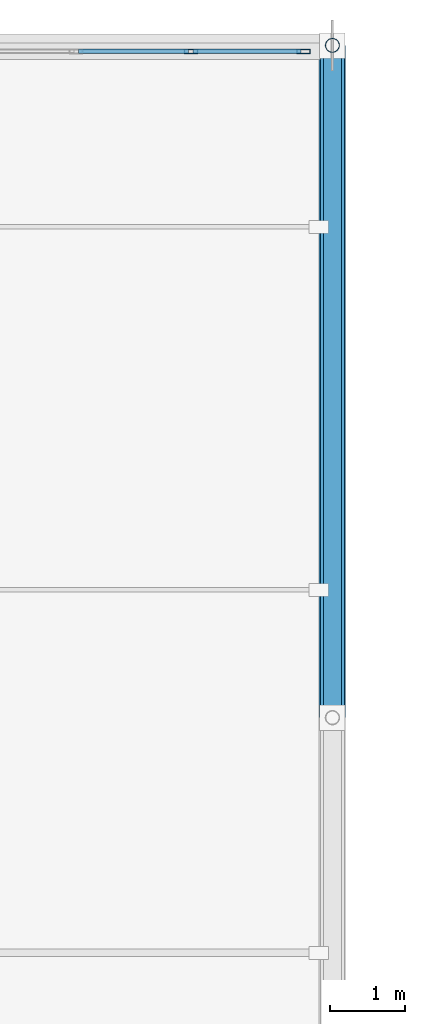
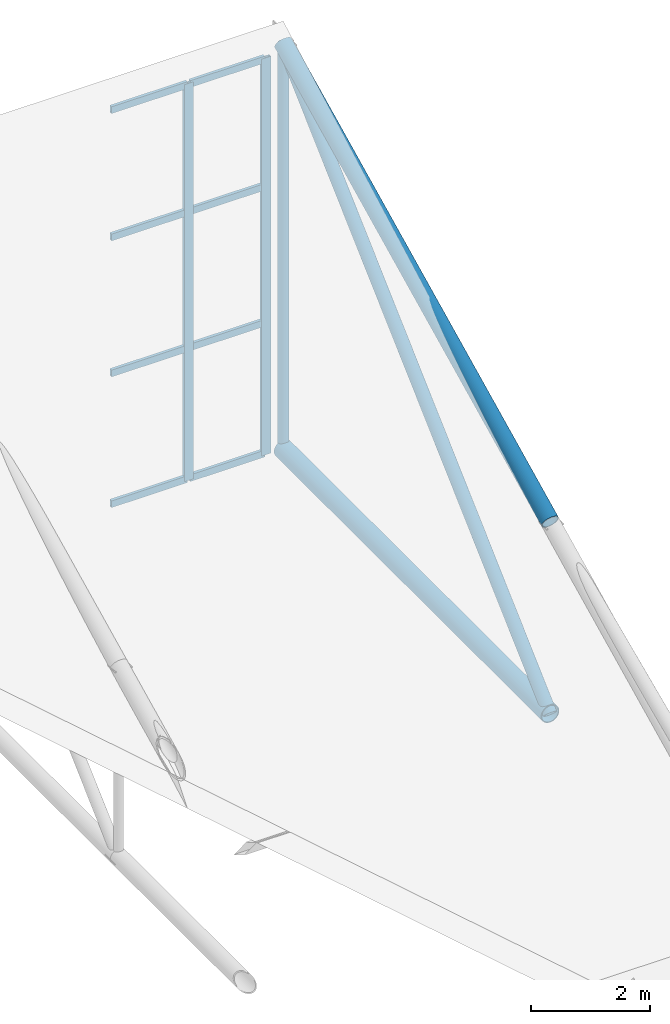
# One storey, part 28 of 38: 14 members, 1 element without a shape of its own.
"""IFC4 building model written with IfcOpenShell, lengths in metres."""

from ifc_helpers import new_model, si_unit, direction, frame, origin, origin_2d, place, context, subcontext, project, spatial, hollow_rectangle, hollow_circle, extrude, material, material_profile, profile_set, type_object, element, aggregate, save


model = new_model("IFC4")

# Units and contexts
model_context = context("Model", 3, precision=1e-05, world=origin(), true_north=direction((0.0, 1.0)))
body_context = subcontext(model_context, "Body", "Model", "MODEL_VIEW")
ifc_project = project(units=[si_unit("LENGTHUNIT", "METRE"), si_unit("AREAUNIT", "SQUARE_METRE"), si_unit("VOLUMEUNIT", "CUBIC_METRE"), si_unit("PLANEANGLEUNIT", "RADIAN"), si_unit("MASSUNIT", "GRAM", prefix="KILO")], contexts=[model_context])

# Site, building, storey
site_placement = place(None, origin())
site = spatial("IfcSite", under=ifc_project, at=site_placement, CompositionType="ELEMENT")
building_placement = place(site_placement, origin())
building = spatial("IfcBuilding", under=site, at=building_placement, Name="Veltarok Museum of Natural Sciences", CompositionType="ELEMENT")
storey_placement = place(building_placement, frame((0.0, 0.0, 31.199951171875)))
storey = spatial("IfcBuildingStorey", under=building, at=storey_placement, Name="RF", CompositionType="ELEMENT", Elevation=31.199951171875)

# Curtain wall, members
ifc_material_1 = material(Name="Low-iron triple insulated glass", Category="glass")
curtain_wall_type = type_object("IfcCurtainWallType", Name="Curtain Wall System CW-SAW-M2-768x817 (Sawtooth North Clerestory M2 768x817cm)", PredefinedType="NOTDEFINED", material=ifc_material_1)
curtain_wall_placement = place(storey_placement, origin())
curtain_wall = element("IfcCurtainWall", 1, at=curtain_wall_placement, inside=storey, type_object=curtain_wall_type, Name="Curtain Wall CW-SAW-M2-768x817 CW-SAW-0085", PredefinedType="NOTDEFINED")
ifc_material_2 = material(Name="Thermally broken anodised aluminium", Category="aluminium")
ifc_material_profile_1 = material_profile(ifc_material_2, hollow_rectangle(XDim=0.06005859375, YDim=0.179931640625, WallThickness=0.006103515625, at=origin_2d()), Name="CW MULLION 60x180x6")
ifc_profile_set_1 = profile_set([ifc_material_profile_1], Name="Thermally broken anodised aluminium")
member_type_1 = type_object("IfcMemberType", Name="Sawtooth Clerestory Mullion 60x180x6", PredefinedType="MULLION", material=ifc_profile_set_1)
member_1_placement = place(storey_placement, frame((98.409912109375, 71.919921875, -5.719970703125), z_axis=(0.0, 0.0, 1.0), x_axis=(0.0, -1.0, 0.0)))
member_1 = element("IfcMember", 2, at=member_1_placement, type_object=member_type_1, Name="CW-SAW-M2-768x817 mullion 1", PredefinedType="MULLION", context=body_context, shape_type="SweptSolid", body=[
    extrude(hollow_rectangle(XDim=0.06005859375, YDim=0.179931640625, WallThickness=0.006103515625, at=origin_2d()), origin(), (0.0, 0.0, 1.0), 8.169921875),
])
member_2_placement = place(storey_placement, frame((96.904052734375, 71.919921875, -5.719970703125), z_axis=(0.0, 0.0, 1.0), x_axis=(0.0, -1.0, 0.0)))
member_2 = element("IfcMember", 3, at=member_2_placement, type_object=member_type_1, Name="CW-SAW-M2-768x817 mullion 2", PredefinedType="MULLION", context=body_context, shape_type="SweptSolid", body=[
    extrude(hollow_rectangle(XDim=0.06005859375, YDim=0.179931640625, WallThickness=0.006103515625, at=origin_2d()), origin(), (0.0, 0.0, 1.0), 8.169921875),
])
ifc_material_profile_2 = material_profile(ifc_material_2, hollow_rectangle(XDim=0.06005859375, YDim=0.139892578125, WallThickness=0.0048828125, at=origin_2d()), Name="CW TRANSOM 60x140x5")
ifc_profile_set_2 = profile_set([ifc_material_profile_2], Name="Thermally broken anodised aluminium")
member_type_2 = type_object("IfcMemberType", Name="Sawtooth Clerestory Transom 60x140x5", PredefinedType="USERDEFINED", material=ifc_profile_set_2)
member_3_placement = place(storey_placement, frame((98.3798828125, 71.919921875, -5.68994140625), z_axis=(-1.0, 0.0, 0.0), x_axis=(0.0, -1.0, 0.0)))
member_3 = element("IfcMember", 4, at=member_3_placement, type_object=member_type_2, Name="CW-SAW-M2-768x817 transom 1.1", ObjectType="TRANSOM", PredefinedType="USERDEFINED", context=body_context, shape_type="SweptSolid", body=[
    extrude(hollow_rectangle(XDim=0.06005859375, YDim=0.139892578125, WallThickness=0.0048828125, at=origin_2d()), origin(), (0.0, 0.0, 1.0), 1.44580078125),
])
member_4_placement = place(storey_placement, frame((98.3798828125, 71.919921875, -3.0), z_axis=(-1.0, 0.0, 0.0), x_axis=(0.0, -1.0, 0.0)))
member_4 = element("IfcMember", 5, at=member_4_placement, type_object=member_type_2, Name="CW-SAW-M2-768x817 transom 1.2", ObjectType="TRANSOM", PredefinedType="USERDEFINED", context=body_context, shape_type="SweptSolid", body=[
    extrude(hollow_rectangle(XDim=0.06005859375, YDim=0.139892578125, WallThickness=0.0048828125, at=origin_2d()), origin(), (0.0, 0.0, 1.0), 1.44580078125),
])
member_5_placement = place(storey_placement, frame((98.3798828125, 71.919921875, -0.199951171875), z_axis=(-1.0, 0.0, 0.0), x_axis=(0.0, -1.0, 0.0)))
member_5 = element("IfcMember", 6, at=member_5_placement, type_object=member_type_2, Name="CW-SAW-M2-768x817 transom 1.3", ObjectType="TRANSOM", PredefinedType="USERDEFINED", context=body_context, shape_type="SweptSolid", body=[
    extrude(hollow_rectangle(XDim=0.06005859375, YDim=0.139892578125, WallThickness=0.0048828125, at=origin_2d()), origin(), (0.0, 0.0, 1.0), 1.44580078125),
])
member_6_placement = place(storey_placement, frame((98.3798828125, 71.919921875, 2.420166015625), z_axis=(-1.0, 0.0, 0.0), x_axis=(0.0, -1.0, 0.0)))
member_6 = element("IfcMember", 7, at=member_6_placement, type_object=member_type_2, Name="CW-SAW-M2-768x817 transom 1.4", ObjectType="TRANSOM", PredefinedType="USERDEFINED", context=body_context, shape_type="SweptSolid", body=[
    extrude(hollow_rectangle(XDim=0.06005859375, YDim=0.139892578125, WallThickness=0.0048828125, at=origin_2d()), origin(), (0.0, 0.0, 1.0), 1.44580078125),
])
member_7_placement = place(storey_placement, frame((96.8740234375, 71.919921875, -5.68994140625), z_axis=(-1.0, 0.0, 0.0), x_axis=(0.0, -1.0, 0.0)))
member_7 = element("IfcMember", 8, at=member_7_placement, type_object=member_type_2, Name="CW-SAW-M2-768x817 transom 2.1", ObjectType="TRANSOM", PredefinedType="USERDEFINED", context=body_context, shape_type="SweptSolid", body=[
    extrude(hollow_rectangle(XDim=0.06005859375, YDim=0.139892578125, WallThickness=0.0048828125, at=origin_2d()), origin(), (0.0, 0.0, 1.0), 1.47607421875),
])
member_8_placement = place(storey_placement, frame((96.8740234375, 71.919921875, -3.0), z_axis=(-1.0, 0.0, 0.0), x_axis=(0.0, -1.0, 0.0)))
member_8 = element("IfcMember", 9, at=member_8_placement, type_object=member_type_2, Name="CW-SAW-M2-768x817 transom 2.2", ObjectType="TRANSOM", PredefinedType="USERDEFINED", context=body_context, shape_type="SweptSolid", body=[
    extrude(hollow_rectangle(XDim=0.06005859375, YDim=0.139892578125, WallThickness=0.0048828125, at=origin_2d()), origin(), (0.0, 0.0, 1.0), 1.47607421875),
])
member_9_placement = place(storey_placement, frame((96.8740234375, 71.919921875, -0.199951171875), z_axis=(-1.0, 0.0, 0.0), x_axis=(0.0, -1.0, 0.0)))
member_9 = element("IfcMember", 10, at=member_9_placement, type_object=member_type_2, Name="CW-SAW-M2-768x817 transom 2.3", ObjectType="TRANSOM", PredefinedType="USERDEFINED", context=body_context, shape_type="SweptSolid", body=[
    extrude(hollow_rectangle(XDim=0.06005859375, YDim=0.139892578125, WallThickness=0.0048828125, at=origin_2d()), origin(), (0.0, 0.0, 1.0), 1.47607421875),
])
member_10_placement = place(storey_placement, frame((96.8740234375, 71.919921875, 2.420166015625), z_axis=(-1.0, 0.0, 0.0), x_axis=(0.0, -1.0, 0.0)))
member_10 = element("IfcMember", 11, at=member_10_placement, type_object=member_type_2, Name="CW-SAW-M2-768x817 transom 2.4", ObjectType="TRANSOM", PredefinedType="USERDEFINED", context=body_context, shape_type="SweptSolid", body=[
    extrude(hollow_rectangle(XDim=0.06005859375, YDim=0.139892578125, WallThickness=0.0048828125, at=origin_2d()), origin(), (0.0, 0.0, 1.0), 1.47607421875),
])
aggregate(curtain_wall, [member_1, member_2, member_3, member_4, member_5, member_6, member_7, member_8, member_9, member_10])

# Members
ifc_material_3 = material(Name="Oxide-red painted Steel S355J2", Category="steel")
ifc_material_profile_3 = material_profile(ifc_material_3, hollow_circle(Radius=0.122314453125, WallThickness=0.012451171875, at=origin_2d()), Name="CHS 244.5x12.5")
ifc_profile_set_3 = profile_set([ifc_material_profile_3], Name="Oxide-red painted Steel S355J2")
member_type_3 = type_object("IfcMemberType", Name="Sawtooth End Diagonal CHS 244.5x12.5", PredefinedType="BRACE", material=ifc_profile_set_3)
member_11_placement = place(storey_placement, frame((98.800048828125, 63.0, -5.800048828125), z_axis=(0.0, 0.733079568112, 0.680142887059), x_axis=(-1.0, 0.0, 0.0)))
element("IfcMember", 12, at=member_11_placement, inside=storey, type_object=member_type_3, Name="Roof Truss Diagonal 12 M2", PredefinedType="BRACE", context=body_context, shape_type="SweptSolid", body=[
    extrude(hollow_circle(Radius=0.122314453125, WallThickness=0.012451171875, at=origin_2d()), origin(), (0.0, 0.0, 1.0), 12.27685546875),
])
ifc_material_profile_4 = material_profile(ifc_material_3, hollow_circle(Radius=0.096923828125, WallThickness=0.010009765625, at=origin_2d()), Name="CHS 193.7x10")
ifc_profile_set_4 = profile_set([ifc_material_profile_4], Name="Oxide-red painted Steel S355J2")
member_type_4 = type_object("IfcMemberType", Name="Sawtooth End Strut CHS 193.7x10", PredefinedType="STRUT", material=ifc_profile_set_4)
member_12_placement = place(storey_placement, frame((98.800048828125, 72.0, -5.800048828125), z_axis=(0.0, 0.0, 1.0), x_axis=(1.0, 0.0, 0.0)))
element("IfcMember", 13, at=member_12_placement, inside=storey, type_object=member_type_4, Name="Roof Truss Strut 12 M2", PredefinedType="STRUT", context=body_context, shape_type="SweptSolid", body=[
    extrude(hollow_circle(Radius=0.096923828125, WallThickness=0.010009765625, at=origin_2d()), origin(), (0.0, 0.0, 1.0), 8.35009765625),
])
ifc_material_profile_5 = material_profile(ifc_material_3, hollow_circle(Radius=0.177734375, WallThickness=0.01611328125, at=origin_2d()), Name="CHS 355.6x16")
ifc_profile_set_5 = profile_set([ifc_material_profile_5], Name="Oxide-red painted Steel S355J2")
member_type_5 = type_object("IfcMemberType", Name="Sawtooth Heavy Chord CHS 355.6x16", PredefinedType="CHORD", material=ifc_profile_set_5)
member_13_placement = place(storey_placement, frame((98.800048828125, 63.0, -5.800048828125), z_axis=(0.0, 1.0, 0.0), x_axis=(-1.0, 0.0, 0.0)))
element("IfcMember", 14, at=member_13_placement, inside=storey, type_object=member_type_5, Name="Roof Truss Bottom Chord 12 M2", PredefinedType="CHORD", context=body_context, shape_type="SweptSolid", body=[
    extrude(hollow_circle(Radius=0.177734375, WallThickness=0.01611328125, at=origin_2d()), origin(), (0.0, 0.0, 1.0), 9.0),
])
ifc_material_profile_6 = material_profile(ifc_material_3, hollow_circle(Radius=0.161865234375, WallThickness=0.01611328125, at=origin_2d()), Name="CHS 323.9x16")
ifc_profile_set_6 = profile_set([ifc_material_profile_6], Name="Oxide-red painted Steel S355J2")
member_type_6 = type_object("IfcMemberType", Name="Sawtooth Truss Chord CHS 323.9x16", PredefinedType="CHORD", material=ifc_profile_set_6)
member_14_placement = place(storey_placement, frame((98.800048828125, 63.0, -1.849853515625), z_axis=(0.0, 0.898388207299, 0.439202264322), x_axis=(-1.0, 0.0, 0.0)))
element("IfcMember", 15, at=member_14_placement, inside=storey, type_object=member_type_6, Name="Roof Truss Top Chord 12 M2", PredefinedType="CHORD", context=body_context, shape_type="SweptSolid", body=[
    extrude(hollow_circle(Radius=0.161865234375, WallThickness=0.01611328125, at=origin_2d()), origin(), (0.0, 0.0, 1.0), 10.017822265625),
])

save(model, "model.ifc")
